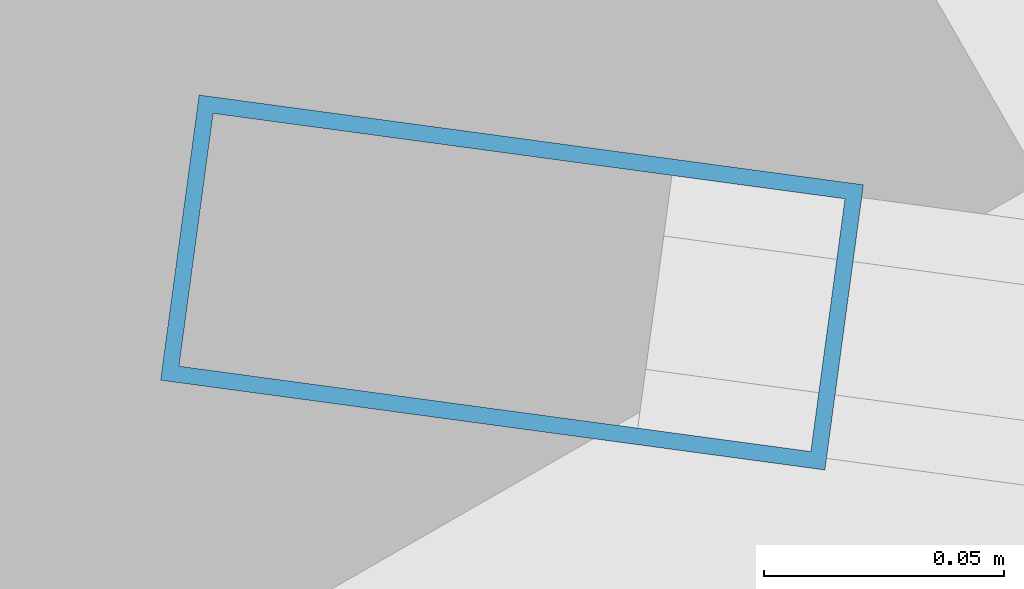
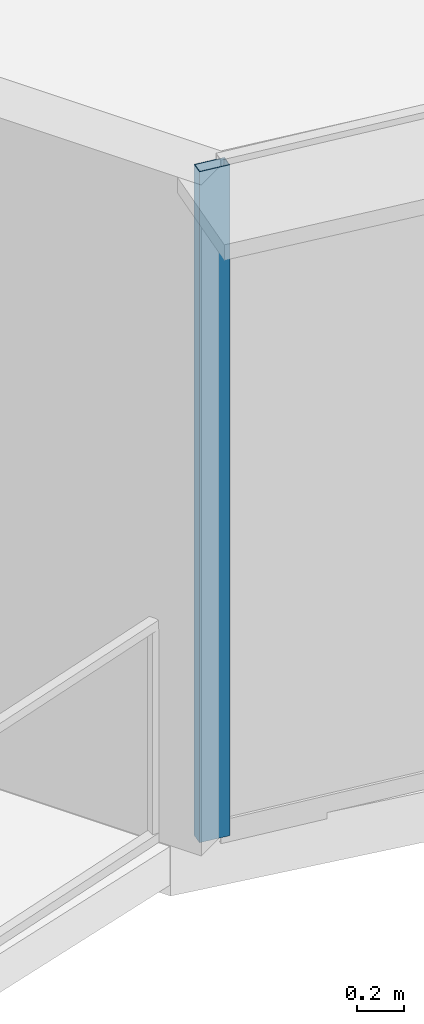
# One storey, part 2 of 34: 1 member, 1 element without a shape of its own.
"""IFC4 building model written with IfcOpenShell, lengths in metres."""

from ifc_helpers import new_model, si_unit, direction, frame, origin, origin_2d, place, context, subcontext, project, spatial, hollow_rectangle, extrude, source, transform, mapped, material, layer, layer_set, material_profile, profile_set, type_object, element, aggregate, save


model = new_model("IFC4")

# Units and contexts
model_context = context("Model", 3, precision=1e-05, world=origin(), true_north=direction((0.0, 1.0)))
body_context = subcontext(model_context, "Body", "Model", "MODEL_VIEW")
ifc_project = project(units=[si_unit("LENGTHUNIT", "METRE"), si_unit("AREAUNIT", "SQUARE_METRE"), si_unit("VOLUMEUNIT", "CUBIC_METRE"), si_unit("PLANEANGLEUNIT", "RADIAN"), si_unit("MASSUNIT", "GRAM", prefix="KILO"), si_unit("THERMODYNAMICTEMPERATUREUNIT", "KELVIN"), si_unit("POWERUNIT", "WATT")], contexts=[model_context])

# Site, building, storey
site_placement = place(None, origin())
site = spatial("IfcSite", under=ifc_project, at=site_placement, CompositionType="ELEMENT")
building_placement = place(site_placement, origin())
building = spatial("IfcBuilding", under=site, at=building_placement, Name="Yunzhuo Pagoda Commons", CompositionType="ELEMENT")
storey_placement = place(building_placement, frame((0.0, 0.0, 229.610107421875)))
storey = spatial("IfcBuildingStorey", under=building, at=storey_placement, Name="L57", CompositionType="ELEMENT", Elevation=229.610107421875)

# Curtain wall, member
ifc_material = material(Name="Anodized aluminium 6063-T6", Category="aluminium")
ifc_layer = layer(ifc_material, 0.139892578125)
ifc_layer_set = layer_set([ifc_layer], Name="Anodized aluminium 6063-T6")
curtain_wall_type = type_object("IfcCurtainWallType", Name="CW-HI High-Zone Ribbon Curtain Wall", PredefinedType="NOTDEFINED", material=ifc_layer_set)
curtain_wall_placement = place(storey_placement, origin())
curtain_wall = element("IfcCurtainWall", 1, at=curtain_wall_placement, inside=storey, type_object=curtain_wall_type, Name="L57 curtain wall CW-L57-F1B1", PredefinedType="NOTDEFINED")
ifc_material_profile = material_profile(ifc_material, hollow_rectangle(XDim=0.06005859375, YDim=0.139892578125, WallThickness=0.00341796875, at=origin_2d()), Name="Anodized aluminium 6063-T6")
ifc_profile_set = profile_set([ifc_material_profile], Name="Anodized aluminium 6063-T6")
member_type = type_object("IfcMemberType", Name="CW-HI-M Mullion RHS 140x60x3.5", PredefinedType="MULLION", material=ifc_profile_set)
shared_shape = source(origin(), body_context, "Body", "SweptSolid", [
    extrude(hollow_rectangle(XDim=0.06005859375, YDim=0.139892578125, WallThickness=0.00341796875, at=origin_2d()), origin(), (0.0, 0.0, 1.0), 3.469970703125),
])
member_placement = place(storey_placement, frame((15.7822265625, 18.6513671875, 0.0), z_axis=(0.0, 0.0, 1.0), x_axis=(0.133929585963, 0.990990850616, 0.0)))
member = element("IfcMember", 2, at=member_placement, type_object=member_type, Name="CW mullion 1", PredefinedType="MULLION", context=body_context, shape_type="MappedRepresentation", body=[
    mapped(shared_shape, transform((0.0, 0.0, 0.0), scale=1.0)),
])
aggregate(curtain_wall, [member])

save(model, "model.ifc")
